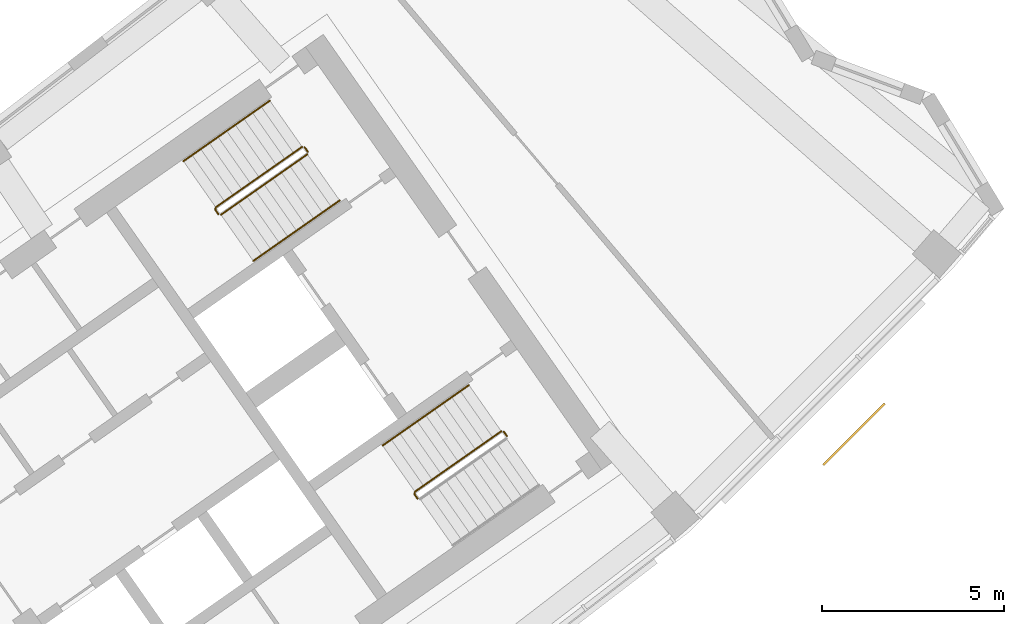
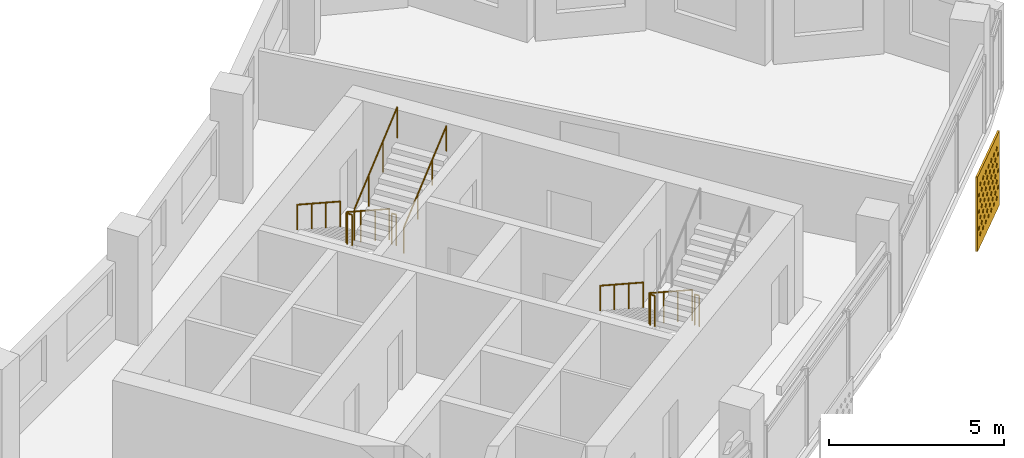
# One storey, part 28 of 28: 8 railings, 1 shading device.
"""IFC4 building model written with IfcOpenShell, lengths in metres."""

from ifc_helpers import new_model, si_unit, direction, frame, origin, origin_2d, place, context, subcontext, project, spatial, polyline, circle, outline, extrude, material, material_profile, profile_set, type_object, element, save


model = new_model("IFC4")

# Units and contexts
model_context = context("Model", 3, precision=1e-05, world=origin(), true_north=direction((0.0, 1.0)))
body_context = subcontext(model_context, "Body", "Model", "MODEL_VIEW")
ifc_project = project(units=[si_unit("LENGTHUNIT", "METRE"), si_unit("AREAUNIT", "SQUARE_METRE"), si_unit("VOLUMEUNIT", "CUBIC_METRE"), si_unit("PLANEANGLEUNIT", "RADIAN"), si_unit("MASSUNIT", "GRAM", prefix="KILO")], contexts=[model_context])

# Site, building, storey
site_placement = place(None, origin())
site = spatial("IfcSite", under=ifc_project, at=site_placement, CompositionType="ELEMENT")
building_placement = place(site_placement, origin())
building = spatial("IfcBuilding", under=site, at=building_placement, Name="Qamariyya Broadcast Tower", CompositionType="ELEMENT")
storey_placement = place(building_placement, frame((0.0, 0.0, 269.5)))
storey = spatial("IfcBuildingStorey", under=building, at=storey_placement, Name="L65", CompositionType="ELEMENT", Elevation=269.5)

# Shading device
ifc_material_1 = material(Name="Perforated glazed terracotta", Category="masonry")
ifc_material_profile = material_profile(ifc_material_1, outline(polyline([(-1.199951171875, -1.300048828125), (1.199951171875, -1.300048828125), (1.199951171875, 1.300048828125), (-1.199951171875, 1.300048828125), (-1.199951171875, -1.300048828125)]), holes=[polyline([(-0.81494140625, -0.86669921875), (-0.89990234375, -0.78173828125), (-0.985107421875, -0.86669921875), (-0.89990234375, -0.95166015625), (-0.81494140625, -0.86669921875)]), polyline([(-0.514892578125, -0.86669921875), (-0.60009765625, -0.78173828125), (-0.68505859375, -0.86669921875), (-0.60009765625, -0.95166015625), (-0.514892578125, -0.86669921875)]), polyline([(-0.215087890625, -0.86669921875), (-0.300048828125, -0.78173828125), (-0.385009765625, -0.86669921875), (-0.300048828125, -0.95166015625), (-0.215087890625, -0.86669921875)]), polyline([(0.0849609375, -0.86669921875), (0.0, -0.78173828125), (-0.0849609375, -0.86669921875), (0.0, -0.95166015625), (0.0849609375, -0.86669921875)]), polyline([(0.385009765625, -0.86669921875), (0.300048828125, -0.78173828125), (0.215087890625, -0.86669921875), (0.300048828125, -0.95166015625), (0.385009765625, -0.86669921875)]), polyline([(0.68505859375, -0.86669921875), (0.60009765625, -0.78173828125), (0.514892578125, -0.86669921875), (0.60009765625, -0.95166015625), (0.68505859375, -0.86669921875)]), polyline([(0.985107421875, -0.86669921875), (0.89990234375, -0.78173828125), (0.81494140625, -0.86669921875), (0.89990234375, -0.95166015625), (0.985107421875, -0.86669921875)]), polyline([(-0.965087890625, -0.577880859375), (-1.050048828125, -0.49267578125), (-1.135009765625, -0.577880859375), (-1.050048828125, -0.662841796875), (-0.965087890625, -0.577880859375)]), polyline([(-0.6650390625, -0.577880859375), (-0.75, -0.49267578125), (-0.8349609375, -0.577880859375), (-0.75, -0.662841796875), (-0.6650390625, -0.577880859375)]), polyline([(-0.364990234375, -0.577880859375), (-0.449951171875, -0.49267578125), (-0.534912109375, -0.577880859375), (-0.449951171875, -0.662841796875), (-0.364990234375, -0.577880859375)]), polyline([(-0.06494140625, -0.577880859375), (-0.14990234375, -0.49267578125), (-0.235107421875, -0.577880859375), (-0.14990234375, -0.662841796875), (-0.06494140625, -0.577880859375)]), polyline([(0.235107421875, -0.577880859375), (0.14990234375, -0.49267578125), (0.06494140625, -0.577880859375), (0.14990234375, -0.662841796875), (0.235107421875, -0.577880859375)]), polyline([(0.534912109375, -0.577880859375), (0.449951171875, -0.49267578125), (0.364990234375, -0.577880859375), (0.449951171875, -0.662841796875), (0.534912109375, -0.577880859375)]), polyline([(0.8349609375, -0.577880859375), (0.75, -0.49267578125), (0.6650390625, -0.577880859375), (0.75, -0.662841796875), (0.8349609375, -0.577880859375)]), polyline([(1.135009765625, -0.577880859375), (1.050048828125, -0.49267578125), (0.965087890625, -0.577880859375), (1.050048828125, -0.662841796875), (1.135009765625, -0.577880859375)]), polyline([(-0.81494140625, -0.288818359375), (-0.89990234375, -0.203857421875), (-0.985107421875, -0.288818359375), (-0.89990234375, -0.373779296875), (-0.81494140625, -0.288818359375)]), polyline([(-0.514892578125, -0.288818359375), (-0.60009765625, -0.203857421875), (-0.68505859375, -0.288818359375), (-0.60009765625, -0.373779296875), (-0.514892578125, -0.288818359375)]), polyline([(-0.215087890625, -0.288818359375), (-0.300048828125, -0.203857421875), (-0.385009765625, -0.288818359375), (-0.300048828125, -0.373779296875), (-0.215087890625, -0.288818359375)]), polyline([(0.0849609375, -0.288818359375), (0.0, -0.203857421875), (-0.0849609375, -0.288818359375), (0.0, -0.373779296875), (0.0849609375, -0.288818359375)]), polyline([(0.385009765625, -0.288818359375), (0.300048828125, -0.203857421875), (0.215087890625, -0.288818359375), (0.300048828125, -0.373779296875), (0.385009765625, -0.288818359375)]), polyline([(0.68505859375, -0.288818359375), (0.60009765625, -0.203857421875), (0.514892578125, -0.288818359375), (0.60009765625, -0.373779296875), (0.68505859375, -0.288818359375)]), polyline([(0.985107421875, -0.288818359375), (0.89990234375, -0.203857421875), (0.81494140625, -0.288818359375), (0.89990234375, -0.373779296875), (0.985107421875, -0.288818359375)]), polyline([(-0.965087890625, 0.0), (-1.050048828125, 0.0849609375), (-1.135009765625, 0.0), (-1.050048828125, -0.0849609375), (-0.965087890625, 0.0)]), polyline([(-0.6650390625, 0.0), (-0.75, 0.0849609375), (-0.8349609375, 0.0), (-0.75, -0.0849609375), (-0.6650390625, 0.0)]), polyline([(-0.364990234375, 0.0), (-0.449951171875, 0.0849609375), (-0.534912109375, 0.0), (-0.449951171875, -0.0849609375), (-0.364990234375, 0.0)]), polyline([(-0.06494140625, 0.0), (-0.14990234375, 0.0849609375), (-0.235107421875, 0.0), (-0.14990234375, -0.0849609375), (-0.06494140625, 0.0)]), polyline([(0.235107421875, 0.0), (0.14990234375, 0.0849609375), (0.06494140625, 0.0), (0.14990234375, -0.0849609375), (0.235107421875, 0.0)]), polyline([(0.534912109375, 0.0), (0.449951171875, 0.0849609375), (0.364990234375, 0.0), (0.449951171875, -0.0849609375), (0.534912109375, 0.0)]), polyline([(0.8349609375, 0.0), (0.75, 0.0849609375), (0.6650390625, 0.0), (0.75, -0.0849609375), (0.8349609375, 0.0)]), polyline([(1.135009765625, 0.0), (1.050048828125, 0.0849609375), (0.965087890625, 0.0), (1.050048828125, -0.0849609375), (1.135009765625, 0.0)]), polyline([(-0.81494140625, 0.288818359375), (-0.89990234375, 0.373779296875), (-0.985107421875, 0.288818359375), (-0.89990234375, 0.203857421875), (-0.81494140625, 0.288818359375)]), polyline([(-0.514892578125, 0.288818359375), (-0.60009765625, 0.373779296875), (-0.68505859375, 0.288818359375), (-0.60009765625, 0.203857421875), (-0.514892578125, 0.288818359375)]), polyline([(-0.215087890625, 0.288818359375), (-0.300048828125, 0.373779296875), (-0.385009765625, 0.288818359375), (-0.300048828125, 0.203857421875), (-0.215087890625, 0.288818359375)]), polyline([(0.0849609375, 0.288818359375), (0.0, 0.373779296875), (-0.0849609375, 0.288818359375), (0.0, 0.203857421875), (0.0849609375, 0.288818359375)]), polyline([(0.385009765625, 0.288818359375), (0.300048828125, 0.373779296875), (0.215087890625, 0.288818359375), (0.300048828125, 0.203857421875), (0.385009765625, 0.288818359375)]), polyline([(0.68505859375, 0.288818359375), (0.60009765625, 0.373779296875), (0.514892578125, 0.288818359375), (0.60009765625, 0.203857421875), (0.68505859375, 0.288818359375)]), polyline([(0.985107421875, 0.288818359375), (0.89990234375, 0.373779296875), (0.81494140625, 0.288818359375), (0.89990234375, 0.203857421875), (0.985107421875, 0.288818359375)]), polyline([(-0.965087890625, 0.577880859375), (-1.050048828125, 0.662841796875), (-1.135009765625, 0.577880859375), (-1.050048828125, 0.49267578125), (-0.965087890625, 0.577880859375)]), polyline([(-0.6650390625, 0.577880859375), (-0.75, 0.662841796875), (-0.8349609375, 0.577880859375), (-0.75, 0.49267578125), (-0.6650390625, 0.577880859375)]), polyline([(-0.364990234375, 0.577880859375), (-0.449951171875, 0.662841796875), (-0.534912109375, 0.577880859375), (-0.449951171875, 0.49267578125), (-0.364990234375, 0.577880859375)]), polyline([(-0.06494140625, 0.577880859375), (-0.14990234375, 0.662841796875), (-0.235107421875, 0.577880859375), (-0.14990234375, 0.49267578125), (-0.06494140625, 0.577880859375)]), polyline([(0.235107421875, 0.577880859375), (0.14990234375, 0.662841796875), (0.06494140625, 0.577880859375), (0.14990234375, 0.49267578125), (0.235107421875, 0.577880859375)]), polyline([(0.534912109375, 0.577880859375), (0.449951171875, 0.662841796875), (0.364990234375, 0.577880859375), (0.449951171875, 0.49267578125), (0.534912109375, 0.577880859375)]), polyline([(0.8349609375, 0.577880859375), (0.75, 0.662841796875), (0.6650390625, 0.577880859375), (0.75, 0.49267578125), (0.8349609375, 0.577880859375)]), polyline([(1.135009765625, 0.577880859375), (1.050048828125, 0.662841796875), (0.965087890625, 0.577880859375), (1.050048828125, 0.49267578125), (1.135009765625, 0.577880859375)]), polyline([(-0.81494140625, 0.86669921875), (-0.89990234375, 0.95166015625), (-0.985107421875, 0.86669921875), (-0.89990234375, 0.78173828125), (-0.81494140625, 0.86669921875)]), polyline([(-0.514892578125, 0.86669921875), (-0.60009765625, 0.95166015625), (-0.68505859375, 0.86669921875), (-0.60009765625, 0.78173828125), (-0.514892578125, 0.86669921875)]), polyline([(-0.215087890625, 0.86669921875), (-0.300048828125, 0.95166015625), (-0.385009765625, 0.86669921875), (-0.300048828125, 0.78173828125), (-0.215087890625, 0.86669921875)]), polyline([(0.0849609375, 0.86669921875), (0.0, 0.95166015625), (-0.0849609375, 0.86669921875), (0.0, 0.78173828125), (0.0849609375, 0.86669921875)]), polyline([(0.385009765625, 0.86669921875), (0.300048828125, 0.95166015625), (0.215087890625, 0.86669921875), (0.300048828125, 0.78173828125), (0.385009765625, 0.86669921875)]), polyline([(0.68505859375, 0.86669921875), (0.60009765625, 0.95166015625), (0.514892578125, 0.86669921875), (0.60009765625, 0.78173828125), (0.68505859375, 0.86669921875)]), polyline([(0.985107421875, 0.86669921875), (0.89990234375, 0.95166015625), (0.81494140625, 0.86669921875), (0.89990234375, 0.78173828125), (0.985107421875, 0.86669921875)])]))
ifc_profile_set = profile_set([ifc_material_profile], Name="Perforated glazed terracotta")
shading_device_type = type_object("IfcShadingDeviceType", Name="Perforated terracotta screen 2400 x 2600", PredefinedType="USERDEFINED", material=ifc_profile_set)
shading_device_placement = place(storey_placement, frame((56.1591796875, -56.203125, 1.35009765625), z_axis=(0.707106781187, -0.707106781187, 0.0), x_axis=(0.707106781187, 0.707106781187, 0.0)))
element("IfcShadingDevice", 1, at=shading_device_placement, inside=storey, type_object=shading_device_type, Name="e-scr-L65-13-1", ObjectType="SCREEN", PredefinedType="USERDEFINED", context=body_context, shape_type="SweptSolid", body=[
    extrude(outline(polyline([(-1.199951171875, -1.300048828125), (1.199951171875, -1.300048828125), (1.199951171875, 1.300048828125), (-1.199951171875, 1.300048828125), (-1.199951171875, -1.300048828125)]), holes=[polyline([(-0.81494140625, -0.86669921875), (-0.89990234375, -0.78173828125), (-0.985107421875, -0.86669921875), (-0.89990234375, -0.95166015625), (-0.81494140625, -0.86669921875)]), polyline([(-0.514892578125, -0.86669921875), (-0.60009765625, -0.78173828125), (-0.68505859375, -0.86669921875), (-0.60009765625, -0.95166015625), (-0.514892578125, -0.86669921875)]), polyline([(-0.215087890625, -0.86669921875), (-0.300048828125, -0.78173828125), (-0.385009765625, -0.86669921875), (-0.300048828125, -0.95166015625), (-0.215087890625, -0.86669921875)]), polyline([(0.0849609375, -0.86669921875), (0.0, -0.78173828125), (-0.0849609375, -0.86669921875), (0.0, -0.95166015625), (0.0849609375, -0.86669921875)]), polyline([(0.385009765625, -0.86669921875), (0.300048828125, -0.78173828125), (0.215087890625, -0.86669921875), (0.300048828125, -0.95166015625), (0.385009765625, -0.86669921875)]), polyline([(0.68505859375, -0.86669921875), (0.60009765625, -0.78173828125), (0.514892578125, -0.86669921875), (0.60009765625, -0.95166015625), (0.68505859375, -0.86669921875)]), polyline([(0.985107421875, -0.86669921875), (0.89990234375, -0.78173828125), (0.81494140625, -0.86669921875), (0.89990234375, -0.95166015625), (0.985107421875, -0.86669921875)]), polyline([(-0.965087890625, -0.577880859375), (-1.050048828125, -0.49267578125), (-1.135009765625, -0.577880859375), (-1.050048828125, -0.662841796875), (-0.965087890625, -0.577880859375)]), polyline([(-0.6650390625, -0.577880859375), (-0.75, -0.49267578125), (-0.8349609375, -0.577880859375), (-0.75, -0.662841796875), (-0.6650390625, -0.577880859375)]), polyline([(-0.364990234375, -0.577880859375), (-0.449951171875, -0.49267578125), (-0.534912109375, -0.577880859375), (-0.449951171875, -0.662841796875), (-0.364990234375, -0.577880859375)]), polyline([(-0.06494140625, -0.577880859375), (-0.14990234375, -0.49267578125), (-0.235107421875, -0.577880859375), (-0.14990234375, -0.662841796875), (-0.06494140625, -0.577880859375)]), polyline([(0.235107421875, -0.577880859375), (0.14990234375, -0.49267578125), (0.06494140625, -0.577880859375), (0.14990234375, -0.662841796875), (0.235107421875, -0.577880859375)]), polyline([(0.534912109375, -0.577880859375), (0.449951171875, -0.49267578125), (0.364990234375, -0.577880859375), (0.449951171875, -0.662841796875), (0.534912109375, -0.577880859375)]), polyline([(0.8349609375, -0.577880859375), (0.75, -0.49267578125), (0.6650390625, -0.577880859375), (0.75, -0.662841796875), (0.8349609375, -0.577880859375)]), polyline([(1.135009765625, -0.577880859375), (1.050048828125, -0.49267578125), (0.965087890625, -0.577880859375), (1.050048828125, -0.662841796875), (1.135009765625, -0.577880859375)]), polyline([(-0.81494140625, -0.288818359375), (-0.89990234375, -0.203857421875), (-0.985107421875, -0.288818359375), (-0.89990234375, -0.373779296875), (-0.81494140625, -0.288818359375)]), polyline([(-0.514892578125, -0.288818359375), (-0.60009765625, -0.203857421875), (-0.68505859375, -0.288818359375), (-0.60009765625, -0.373779296875), (-0.514892578125, -0.288818359375)]), polyline([(-0.215087890625, -0.288818359375), (-0.300048828125, -0.203857421875), (-0.385009765625, -0.288818359375), (-0.300048828125, -0.373779296875), (-0.215087890625, -0.288818359375)]), polyline([(0.0849609375, -0.288818359375), (0.0, -0.203857421875), (-0.0849609375, -0.288818359375), (0.0, -0.373779296875), (0.0849609375, -0.288818359375)]), polyline([(0.385009765625, -0.288818359375), (0.300048828125, -0.203857421875), (0.215087890625, -0.288818359375), (0.300048828125, -0.373779296875), (0.385009765625, -0.288818359375)]), polyline([(0.68505859375, -0.288818359375), (0.60009765625, -0.203857421875), (0.514892578125, -0.288818359375), (0.60009765625, -0.373779296875), (0.68505859375, -0.288818359375)]), polyline([(0.985107421875, -0.288818359375), (0.89990234375, -0.203857421875), (0.81494140625, -0.288818359375), (0.89990234375, -0.373779296875), (0.985107421875, -0.288818359375)]), polyline([(-0.965087890625, 0.0), (-1.050048828125, 0.0849609375), (-1.135009765625, 0.0), (-1.050048828125, -0.0849609375), (-0.965087890625, 0.0)]), polyline([(-0.6650390625, 0.0), (-0.75, 0.0849609375), (-0.8349609375, 0.0), (-0.75, -0.0849609375), (-0.6650390625, 0.0)]), polyline([(-0.364990234375, 0.0), (-0.449951171875, 0.0849609375), (-0.534912109375, 0.0), (-0.449951171875, -0.0849609375), (-0.364990234375, 0.0)]), polyline([(-0.06494140625, 0.0), (-0.14990234375, 0.0849609375), (-0.235107421875, 0.0), (-0.14990234375, -0.0849609375), (-0.06494140625, 0.0)]), polyline([(0.235107421875, 0.0), (0.14990234375, 0.0849609375), (0.06494140625, 0.0), (0.14990234375, -0.0849609375), (0.235107421875, 0.0)]), polyline([(0.534912109375, 0.0), (0.449951171875, 0.0849609375), (0.364990234375, 0.0), (0.449951171875, -0.0849609375), (0.534912109375, 0.0)]), polyline([(0.8349609375, 0.0), (0.75, 0.0849609375), (0.6650390625, 0.0), (0.75, -0.0849609375), (0.8349609375, 0.0)]), polyline([(1.135009765625, 0.0), (1.050048828125, 0.0849609375), (0.965087890625, 0.0), (1.050048828125, -0.0849609375), (1.135009765625, 0.0)]), polyline([(-0.81494140625, 0.288818359375), (-0.89990234375, 0.373779296875), (-0.985107421875, 0.288818359375), (-0.89990234375, 0.203857421875), (-0.81494140625, 0.288818359375)]), polyline([(-0.514892578125, 0.288818359375), (-0.60009765625, 0.373779296875), (-0.68505859375, 0.288818359375), (-0.60009765625, 0.203857421875), (-0.514892578125, 0.288818359375)]), polyline([(-0.215087890625, 0.288818359375), (-0.300048828125, 0.373779296875), (-0.385009765625, 0.288818359375), (-0.300048828125, 0.203857421875), (-0.215087890625, 0.288818359375)]), polyline([(0.0849609375, 0.288818359375), (0.0, 0.373779296875), (-0.0849609375, 0.288818359375), (0.0, 0.203857421875), (0.0849609375, 0.288818359375)]), polyline([(0.385009765625, 0.288818359375), (0.300048828125, 0.373779296875), (0.215087890625, 0.288818359375), (0.300048828125, 0.203857421875), (0.385009765625, 0.288818359375)]), polyline([(0.68505859375, 0.288818359375), (0.60009765625, 0.373779296875), (0.514892578125, 0.288818359375), (0.60009765625, 0.203857421875), (0.68505859375, 0.288818359375)]), polyline([(0.985107421875, 0.288818359375), (0.89990234375, 0.373779296875), (0.81494140625, 0.288818359375), (0.89990234375, 0.203857421875), (0.985107421875, 0.288818359375)]), polyline([(-0.965087890625, 0.577880859375), (-1.050048828125, 0.662841796875), (-1.135009765625, 0.577880859375), (-1.050048828125, 0.49267578125), (-0.965087890625, 0.577880859375)]), polyline([(-0.6650390625, 0.577880859375), (-0.75, 0.662841796875), (-0.8349609375, 0.577880859375), (-0.75, 0.49267578125), (-0.6650390625, 0.577880859375)]), polyline([(-0.364990234375, 0.577880859375), (-0.449951171875, 0.662841796875), (-0.534912109375, 0.577880859375), (-0.449951171875, 0.49267578125), (-0.364990234375, 0.577880859375)]), polyline([(-0.06494140625, 0.577880859375), (-0.14990234375, 0.662841796875), (-0.235107421875, 0.577880859375), (-0.14990234375, 0.49267578125), (-0.06494140625, 0.577880859375)]), polyline([(0.235107421875, 0.577880859375), (0.14990234375, 0.662841796875), (0.06494140625, 0.577880859375), (0.14990234375, 0.49267578125), (0.235107421875, 0.577880859375)]), polyline([(0.534912109375, 0.577880859375), (0.449951171875, 0.662841796875), (0.364990234375, 0.577880859375), (0.449951171875, 0.49267578125), (0.534912109375, 0.577880859375)]), polyline([(0.8349609375, 0.577880859375), (0.75, 0.662841796875), (0.6650390625, 0.577880859375), (0.75, 0.49267578125), (0.8349609375, 0.577880859375)]), polyline([(1.135009765625, 0.577880859375), (1.050048828125, 0.662841796875), (0.965087890625, 0.577880859375), (1.050048828125, 0.49267578125), (1.135009765625, 0.577880859375)]), polyline([(-0.81494140625, 0.86669921875), (-0.89990234375, 0.95166015625), (-0.985107421875, 0.86669921875), (-0.89990234375, 0.78173828125), (-0.81494140625, 0.86669921875)]), polyline([(-0.514892578125, 0.86669921875), (-0.60009765625, 0.95166015625), (-0.68505859375, 0.86669921875), (-0.60009765625, 0.78173828125), (-0.514892578125, 0.86669921875)]), polyline([(-0.215087890625, 0.86669921875), (-0.300048828125, 0.95166015625), (-0.385009765625, 0.86669921875), (-0.300048828125, 0.78173828125), (-0.215087890625, 0.86669921875)]), polyline([(0.0849609375, 0.86669921875), (0.0, 0.95166015625), (-0.0849609375, 0.86669921875), (0.0, 0.78173828125), (0.0849609375, 0.86669921875)]), polyline([(0.385009765625, 0.86669921875), (0.300048828125, 0.95166015625), (0.215087890625, 0.86669921875), (0.300048828125, 0.78173828125), (0.385009765625, 0.86669921875)]), polyline([(0.68505859375, 0.86669921875), (0.60009765625, 0.95166015625), (0.514892578125, 0.86669921875), (0.60009765625, 0.78173828125), (0.68505859375, 0.86669921875)]), polyline([(0.985107421875, 0.86669921875), (0.89990234375, 0.95166015625), (0.81494140625, 0.86669921875), (0.89990234375, 0.78173828125), (0.985107421875, 0.86669921875)])]), origin(), (0.0, 0.0, 1.0), 0.06005859375),
])

# Railings
ifc_material_2 = material(Name="Painted steel", Category="steel")
railing_type_1 = type_object("IfcRailingType", Name="Stair guard", PredefinedType="GUARDRAIL", material=ifc_material_2)
railing_1_placement = place(storey_placement, frame((41.003173828125, -48.320068359375, 0.172607421875)))
element("IfcRailing", 2, at=railing_1_placement, inside=storey, type_object=railing_type_1, Name="L65 ST-E2 stair guard 1", PredefinedType="GUARDRAIL", context=body_context, shape_type="SweptSolid", body=[
    extrude(circle(Radius=0.02392578125, at=origin_2d()), frame((0.0, 0.0, 1.076171875), z_axis=(-0.703770094002, -0.492783725636, 0.511734163933), x_axis=(0.573575343427, -0.819152809562, 0.0)), (0.0, 0.0, 1.0), 3.37548828125),
    extrude(circle(Radius=0.02392578125, at=origin_2d()), frame((-2.37548828125, -1.663330078125, 2.80322265625), z_axis=(-0.172799478008, -0.984957024646, 0.0), x_axis=(0.984957024646, -0.172799478008, 0.0)), (0.0, 0.0, 1.0), 0.070556640625),
    extrude(circle(Radius=0.02392578125, at=origin_2d()), frame((-2.3876953125, -1.73291015625, 2.80322265625), z_axis=(0.572588637393, -0.819842821722, 0.0), x_axis=(0.819842821722, 0.572588637393, 0.0)), (0.0, 0.0, 1.0), 0.150146484375),
    extrude(circle(Radius=0.02099609375, at=origin_2d()), origin(), (0.0, 0.0, 1.0), 1.052001953125),
    extrude(circle(Radius=0.02099609375, at=origin_2d()), frame((-0.791748046875, -0.554443359375, 0.57568359375)), (0.0, 0.0, 1.0), 1.052001953125),
    extrude(circle(Radius=0.02099609375, at=origin_2d()), frame((-1.583740234375, -1.10888671875, 1.151611328125)), (0.0, 0.0, 1.0), 1.052001953125),
    extrude(circle(Radius=0.02099609375, at=origin_2d()), frame((-2.37548828125, -1.663330078125, 1.727294921875)), (0.0, 0.0, 1.0), 1.052001953125),
    extrude(circle(Radius=0.02099609375, at=origin_2d()), frame((-2.3876953125, -1.73291015625, 1.727294921875)), (0.0, 0.0, 1.0), 1.052001953125),
    extrude(circle(Radius=0.02099609375, at=origin_2d()), frame((-2.3017578125, -1.85595703125, 1.727294921875)), (0.0, 0.0, 1.0), 1.052001953125),
])
railing_2_placement = place(storey_placement, frame((38.771240234375, -50.188232421875, 2.07275390625)))
element("IfcRailing", 3, at=railing_2_placement, inside=storey, type_object=railing_type_1, Name="L65 ST-E2 stair guard 2", PredefinedType="GUARDRAIL", context=body_context, shape_type="SweptSolid", body=[
    extrude(circle(Radius=0.02392578125, at=origin_2d()), frame((0.0, 0.0, 1.076171875), z_axis=(0.703770094002, 0.492783725636, 0.511734163933), x_axis=(-0.573575343427, 0.819152809562, 0.0)), (0.0, 0.0, 1.0), 3.37548828125),
    extrude(circle(Radius=0.02099609375, at=origin_2d()), origin(), (0.0, 0.0, 1.0), 1.052001953125),
    extrude(circle(Radius=0.02099609375, at=origin_2d()), frame((0.791748046875, 0.554443359375, 0.57568359375)), (0.0, 0.0, 1.0), 1.052001953125),
    extrude(circle(Radius=0.02099609375, at=origin_2d()), frame((1.583740234375, 1.10888671875, 1.151611328125)), (0.0, 0.0, 1.0), 1.052001953125),
    extrude(circle(Radius=0.02099609375, at=origin_2d()), frame((2.37548828125, 1.663330078125, 1.727294921875)), (0.0, 0.0, 1.0), 1.052001953125),
])
railing_3_placement = place(storey_placement, frame((41.072998046875, -48.332275390625, 0.0)))
element("IfcRailing", 4, at=railing_3_placement, inside=storey, type_object=railing_type_1, Name="L65 ST-E2 stair guard 3", PredefinedType="GUARDRAIL", context=body_context, shape_type="SweptSolid", body=[
    extrude(circle(Radius=0.02392578125, at=origin_2d()), frame((0.0, 0.0, 1.076171875), z_axis=(0.572588637393, -0.819842821722, 0.0), x_axis=(0.819842821722, 0.572588637393, 0.0)), (0.0, 0.0, 1.0), 0.150146484375),
    extrude(circle(Radius=0.02099609375, at=origin_2d()), origin(), (0.0, 0.0, 1.0), 1.052001953125),
    extrude(circle(Radius=0.02099609375, at=origin_2d()), frame((0.0859375, -0.123046875, 0.0)), (0.0, 0.0, 1.0), 1.052001953125),
])
railing_4_placement = place(storey_placement, frame((46.48095703125, -56.14306640625, 0.172607421875)))
element("IfcRailing", 5, at=railing_4_placement, inside=storey, type_object=railing_type_1, Name="L65 ST-E1 stair guard 1", PredefinedType="GUARDRAIL", context=body_context, shape_type="SweptSolid", body=[
    extrude(circle(Radius=0.02392578125, at=origin_2d()), frame((0.0, 0.0, 1.076171875), z_axis=(-0.703770094002, -0.492783725636, 0.511734163933), x_axis=(0.573575343427, -0.819152809562, 0.0)), (0.0, 0.0, 1.0), 3.37548828125),
    extrude(circle(Radius=0.02392578125, at=origin_2d()), frame((-2.37548828125, -1.663330078125, 2.80322265625), z_axis=(-0.176149252506, -0.984363469884, 0.0), x_axis=(0.984363469884, -0.176149252506, 0.0)), (0.0, 0.0, 1.0), 0.07080078125),
    extrude(circle(Radius=0.02392578125, at=origin_2d()), frame((-2.387939453125, -1.73291015625, 2.80322265625), z_axis=(0.574444878118, -0.818543268254, 0.0), x_axis=(0.818543268254, 0.574444878118, 0.0)), (0.0, 0.0, 1.0), 0.150146484375),
    extrude(circle(Radius=0.02099609375, at=origin_2d()), origin(), (0.0, 0.0, 1.0), 1.052001953125),
    extrude(circle(Radius=0.02099609375, at=origin_2d()), frame((-0.791748046875, -0.554443359375, 0.57568359375)), (0.0, 0.0, 1.0), 1.052001953125),
    extrude(circle(Radius=0.02099609375, at=origin_2d()), frame((-1.583740234375, -1.10888671875, 1.151611328125)), (0.0, 0.0, 1.0), 1.052001953125),
    extrude(circle(Radius=0.02099609375, at=origin_2d()), frame((-2.37548828125, -1.663330078125, 1.727294921875)), (0.0, 0.0, 1.0), 1.052001953125),
    extrude(circle(Radius=0.02099609375, at=origin_2d()), frame((-2.387939453125, -1.73291015625, 1.727294921875)), (0.0, 0.0, 1.0), 1.052001953125),
    extrude(circle(Radius=0.02099609375, at=origin_2d()), frame((-2.3017578125, -1.855712890625, 1.727294921875)), (0.0, 0.0, 1.0), 1.052001953125),
])
railing_5_placement = place(storey_placement, frame((46.550537109375, -56.1552734375, 0.0)))
element("IfcRailing", 6, at=railing_5_placement, inside=storey, type_object=railing_type_1, Name="L65 ST-E1 stair guard 3", PredefinedType="GUARDRAIL", context=body_context, shape_type="SweptSolid", body=[
    extrude(circle(Radius=0.02392578125, at=origin_2d()), frame((0.0, 0.0, 1.076171875), z_axis=(0.574444878118, -0.818543268254, 0.0), x_axis=(0.818543268254, 0.574444878118, 0.0)), (0.0, 0.0, 1.0), 0.150146484375),
    extrude(circle(Radius=0.02099609375, at=origin_2d()), origin(), (0.0, 0.0, 1.0), 1.052001953125),
    extrude(circle(Radius=0.02099609375, at=origin_2d()), frame((0.086181640625, -0.122802734375, 0.0)), (0.0, 0.0, 1.0), 1.052001953125),
])
ifc_material_3 = material(Name="Stainless steel", Category="steel")
railing_type_2 = type_object("IfcRailingType", Name="Stair handrail", PredefinedType="HANDRAIL", material=ifc_material_3)
railing_6_placement = place(storey_placement, frame((40.1142578125, -47.05029296875, 0.172607421875)))
element("IfcRailing", 7, at=railing_6_placement, inside=storey, type_object=railing_type_2, Name="L65 ST-E2 stair handrail 1", PredefinedType="HANDRAIL", context=body_context, shape_type="SweptSolid", body=[
    extrude(circle(Radius=0.02392578125, at=origin_2d()), frame((0.0, 0.0, 0.8759765625), z_axis=(-0.703745009021, -0.492838488332, 0.511715923826), x_axis=(0.573631830683, -0.819113253969, 0.0)), (0.0, 0.0, 1.0), 3.37548828125),
    extrude(circle(Radius=0.02099609375, at=origin_2d()), origin(), (0.0, 0.0, 1.0), 0.851806640625),
    extrude(circle(Radius=0.02099609375, at=origin_2d()), frame((-0.791748046875, -0.554443359375, 0.57568359375)), (0.0, 0.0, 1.0), 0.851806640625),
    extrude(circle(Radius=0.02099609375, at=origin_2d()), frame((-1.583740234375, -1.109130859375, 1.151611328125)), (0.0, 0.0, 1.0), 0.851806640625),
    extrude(circle(Radius=0.02099609375, at=origin_2d()), frame((-2.37548828125, -1.66357421875, 1.727294921875)), (0.0, 0.0, 1.0), 0.851806640625),
])
railing_7_placement = place(storey_placement, frame((39.66015625, -51.4580078125, 2.07275390625)))
element("IfcRailing", 8, at=railing_7_placement, inside=storey, type_object=railing_type_2, Name="L65 ST-E2 stair handrail 2", PredefinedType="HANDRAIL", context=body_context, shape_type="SweptSolid", body=[
    extrude(circle(Radius=0.02392578125, at=origin_2d()), frame((0.0, 0.0, 0.8759765625), z_axis=(0.703745009021, 0.492838488332, 0.511715923826), x_axis=(-0.573631830683, 0.819113253969, 0.0)), (0.0, 0.0, 1.0), 3.37548828125),
    extrude(circle(Radius=0.02099609375, at=origin_2d()), origin(), (0.0, 0.0, 1.0), 0.851806640625),
    extrude(circle(Radius=0.02099609375, at=origin_2d()), frame((0.791748046875, 0.554443359375, 0.57568359375)), (0.0, 0.0, 1.0), 0.851806640625),
    extrude(circle(Radius=0.02099609375, at=origin_2d()), frame((1.583740234375, 1.109130859375, 1.151611328125)), (0.0, 0.0, 1.0), 0.851806640625),
    extrude(circle(Radius=0.02099609375, at=origin_2d()), frame((2.37548828125, 1.66357421875, 1.727294921875)), (0.0, 0.0, 1.0), 0.851806640625),
])
railing_8_placement = place(storey_placement, frame((45.591796875, -54.873291015625, 0.172607421875)))
element("IfcRailing", 9, at=railing_8_placement, inside=storey, type_object=railing_type_2, Name="L65 ST-E1 stair handrail 1", PredefinedType="HANDRAIL", context=body_context, shape_type="SweptSolid", body=[
    extrude(circle(Radius=0.02392578125, at=origin_2d()), frame((0.0, 0.0, 0.8759765625), z_axis=(-0.703770094002, -0.492783725636, 0.511734163933), x_axis=(0.573575343427, -0.819152809562, 0.0)), (0.0, 0.0, 1.0), 3.37548828125),
    extrude(circle(Radius=0.02099609375, at=origin_2d()), origin(), (0.0, 0.0, 1.0), 0.851806640625),
    extrude(circle(Radius=0.02099609375, at=origin_2d()), frame((-0.791748046875, -0.554443359375, 0.57568359375)), (0.0, 0.0, 1.0), 0.851806640625),
    extrude(circle(Radius=0.02099609375, at=origin_2d()), frame((-1.583740234375, -1.10888671875, 1.151611328125)), (0.0, 0.0, 1.0), 0.851806640625),
    extrude(circle(Radius=0.02099609375, at=origin_2d()), frame((-2.37548828125, -1.663330078125, 1.727294921875)), (0.0, 0.0, 1.0), 0.851806640625),
])

save(model, "model.ifc")
